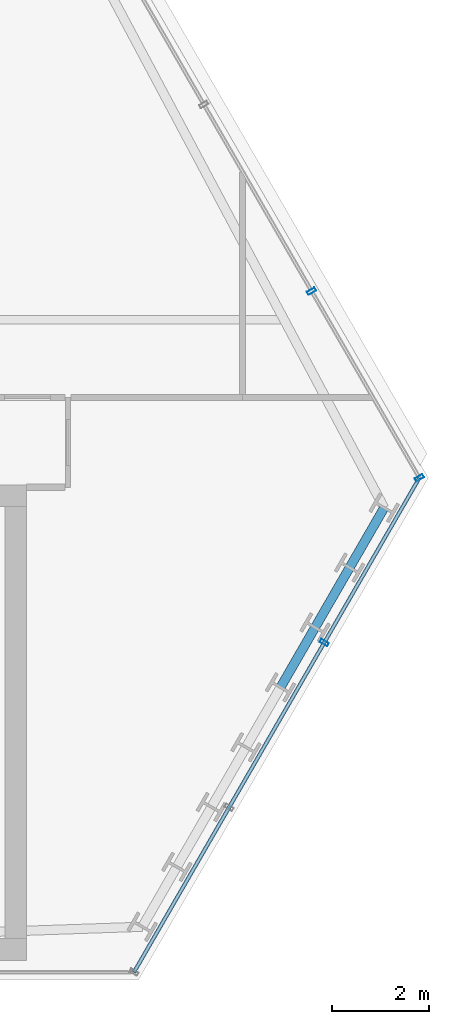
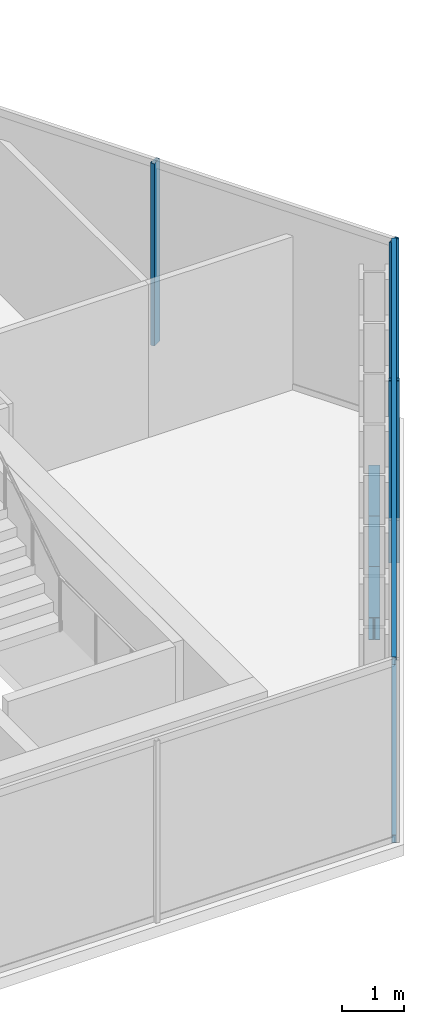
# One storey, part 16 of 31: 5 members, 3 beams, 2 elements without a shape of their own.
"""IFC4 building model written with IfcOpenShell, lengths in metres."""

from ifc_helpers import new_model, si_unit, direction, frame, origin, origin_2d, place, context, subcontext, project, spatial, hollow_rectangle, i_section, extrude, material, layer, layer_set, material_profile, profile_set, type_object, element, aggregate, save


model = new_model("IFC4")

# Units and contexts
model_context = context("Model", 3, precision=1e-05, world=origin(), true_north=direction((0.0, 1.0)))
body_context = subcontext(model_context, "Body", "Model", "MODEL_VIEW")
ifc_project = project(units=[si_unit("LENGTHUNIT", "METRE"), si_unit("AREAUNIT", "SQUARE_METRE"), si_unit("VOLUMEUNIT", "CUBIC_METRE"), si_unit("PLANEANGLEUNIT", "RADIAN"), si_unit("MASSUNIT", "GRAM", prefix="KILO")], contexts=[model_context])

# Site, building, storey
site_placement = place(None, origin())
site = spatial("IfcSite", under=ifc_project, at=site_placement, CompositionType="ELEMENT")
building_placement = place(site_placement, origin())
building = spatial("IfcBuilding", under=site, at=building_placement, Name="Ndaravel Arena Tower", CompositionType="ELEMENT")
storey_placement = place(building_placement, frame((0.0, 0.0, 138.39990234375)))
storey = spatial("IfcBuildingStorey", under=building, at=storey_placement, Name="L32", CompositionType="ELEMENT", Elevation=138.39990234375)

# Beams
ifc_material_1 = material(Name="Steel S355", Category="steel")
ifc_material_profile_1 = material_profile(ifc_material_1, i_section(OverallWidth=0.18994140625, OverallDepth=0.449951171875, WebThickness=0.009521484375, FlangeThickness=0.0146484375, FilletRadius=0.02099609375, at=origin_2d()), Name="IPE 450")
ifc_profile_set_1 = profile_set([ifc_material_profile_1], Name="Steel S355")
beam_type = type_object("IfcBeamType", Name="BM-SPAN-IPE450", PredefinedType="SPANDREL", material=ifc_profile_set_1)
for number, where, z_axis, x_axis, name in (
    (1, (62.77880859375, 11.028076171875, -0.44482421875), (0.499920397431, 0.866071357471, 0.0), (-0.866071357471, 0.499920397431, 0.0), "L32 Perimeter Spandrel Beam SP-06"),
    (2, (63.490478515625, 12.260986328125, -0.44482421875), (0.500049018998, 0.865997100803, 0.0), (-0.865997100803, 0.500049018998, 0.0), "L32 Perimeter Spandrel Beam SP-07"),
    (3, (64.202392578125, 13.493896484375, -0.44482421875), (0.499920397431, 0.866071357471, 0.0), (-0.866071357471, 0.499920397431, 0.0), "L32 Perimeter Spandrel Beam SP-08"),
):
    element("IfcBeam", number, at=place(storey_placement, frame(where, z_axis=z_axis, x_axis=x_axis)), inside=storey, type_object=beam_type, Name=name, PredefinedType="SPANDREL", context=body_context, shape_type="SweptSolid", body=[
        extrude(i_section(OverallWidth=0.18994140625, OverallDepth=0.449951171875, WebThickness=0.009521484375, FlangeThickness=0.0146484375, FilletRadius=0.02099609375, at=origin_2d()), origin(), (0.0, 0.0, 1.0), 1.423583984375),
    ])

# Curtain wall, member
ifc_material_2 = material(Name="Aluminium", Category="aluminium")
ifc_layer_1 = layer(ifc_material_2, 0.179931640625)
ifc_layer_set_1 = layer_set([ifc_layer_1], Name="Aluminium")
curtain_wall_type_1 = type_object("IfcCurtainWallType", Name="CW-SYS-01", PredefinedType="NOTDEFINED", material=ifc_layer_set_1)
curtain_wall_1_placement = place(storey_placement, origin())
curtain_wall_1 = element("IfcCurtainWall", 4, at=curtain_wall_1_placement, inside=storey, type_object=curtain_wall_type_1, Name="L32 Faceted Crystal Curtain Wall CW-L32-E02", PredefinedType="NOTDEFINED")
ifc_material_3 = material(Name="Aluminium", Category="aluminium")
ifc_material_profile_2 = material_profile(ifc_material_3, hollow_rectangle(XDim=0.074951171875, YDim=0.179931640625, WallThickness=0.00390625, at=origin_2d()), Name="CW MULLION 75x180x4")
ifc_profile_set_2 = profile_set([ifc_material_profile_2], Name="Aluminium")
member_type_1 = type_object("IfcMemberType", Name="MEM-CW-MUL180", PredefinedType="MULLION", material=ifc_profile_set_2)
member_1_placement = place(storey_placement, frame((63.6796875, 11.94873046875, 0.0), z_axis=(0.0, 0.0, 1.0), x_axis=(0.5, 0.866025403784, 0.0)))
member_1 = element("IfcMember", 5, at=member_1_placement, type_object=member_type_1, Name="CW-L32-E02 Mullion 02", PredefinedType="MULLION", context=body_context, shape_type="SweptSolid", body=[
    extrude(hollow_rectangle(XDim=0.074951171875, YDim=0.179931640625, WallThickness=0.00390625, at=origin_2d()), origin(), (0.0, 0.0, 1.0), 3.580078125),
])

# Curtain wall, members
ifc_material_4 = material(Name="Aluminium", Category="aluminium")
ifc_layer_2 = layer(ifc_material_4, 0.179931640625)
ifc_layer_set_2 = layer_set([ifc_layer_2], Name="Aluminium")
curtain_wall_type_2 = type_object("IfcCurtainWallType", Name="CW-SYS-03", PredefinedType="NOTDEFINED", material=ifc_layer_set_2)
curtain_wall_2_placement = place(storey_placement, origin())
curtain_wall_2 = element("IfcCurtainWall", 6, at=curtain_wall_2_placement, inside=storey, type_object=curtain_wall_type_2, Name="L32 Faceted Crystal Curtain Wall CW-L32-E03", PredefinedType="NOTDEFINED")
member_2_placement = place(storey_placement, frame((65.639404296875, 15.34326171875, 0.0), z_axis=(0.0, 0.0, 1.0), x_axis=(-0.5, 0.866025403784, 0.0)))
member_2 = element("IfcMember", 7, at=member_2_placement, type_object=member_type_1, Name="CW-L32-E03 Mullion 00", PredefinedType="MULLION", context=body_context, shape_type="SweptSolid", body=[
    extrude(hollow_rectangle(XDim=0.074951171875, YDim=0.179931640625, WallThickness=0.00390625, at=origin_2d()), origin(), (0.0, 0.0, 1.0), 3.580078125),
])
member_3_placement = place(storey_placement, frame((63.41943359375, 19.1884765625, 0.0), z_axis=(0.0, 0.0, 1.0), x_axis=(-0.5, 0.866025403784, 0.0)))
member_3 = element("IfcMember", 8, at=member_3_placement, type_object=member_type_1, Name="CW-L32-E03 Mullion 01", PredefinedType="MULLION", context=body_context, shape_type="SweptSolid", body=[
    extrude(hollow_rectangle(XDim=0.074951171875, YDim=0.179931640625, WallThickness=0.00390625, at=origin_2d()), origin(), (0.0, 0.0, 1.0), 3.580078125),
])
aggregate(curtain_wall_2, [member_2, member_3])

# Member
ifc_material_5 = material(Name="Aluminium", Category="aluminium")
ifc_material_profile_3 = material_profile(ifc_material_5, hollow_rectangle(XDim=0.074951171875, YDim=0.14990234375, WallThickness=0.00390625, at=origin_2d()), Name="CW TRANSOM 75x150x4")
ifc_profile_set_3 = profile_set([ifc_material_profile_3], Name="Aluminium")
member_type_2 = type_object("IfcMemberType", Name="MEM-CW-TRN150", PredefinedType="USERDEFINED", material=ifc_profile_set_3)
member_4_placement = place(storey_placement, frame((59.76025390625, 5.159912109375, 0.0400390625), z_axis=(0.499986653496, 0.866033109255, 0.0), x_axis=(-0.866033109255, 0.499986653496, 0.0)))
member_4 = element("IfcMember", 9, at=member_4_placement, type_object=member_type_2, Name="CW-L32-E02 Transom 01", ObjectType="TRANSOM", PredefinedType="USERDEFINED", context=body_context, shape_type="SweptSolid", body=[
    extrude(hollow_rectangle(XDim=0.074951171875, YDim=0.14990234375, WallThickness=0.00390625, at=origin_2d()), origin(), (0.0, 0.0, 1.0), 11.758544921875),
])

member_5_placement = place(storey_placement, frame((59.76025390625, 5.159912109375, 3.5400390625), z_axis=(0.499986653496, 0.866033109255, 0.0), x_axis=(-0.866033109255, 0.499986653496, 0.0)))
member_5 = element("IfcMember", 10, at=member_5_placement, type_object=member_type_2, Name="CW-L32-E02 Transom 02", ObjectType="TRANSOM", PredefinedType="USERDEFINED", context=body_context, shape_type="SweptSolid", body=[
    extrude(hollow_rectangle(XDim=0.074951171875, YDim=0.14990234375, WallThickness=0.00390625, at=origin_2d()), origin(), (0.0, 0.0, 1.0), 11.758544921875),
])

aggregate(curtain_wall_1, [member_1, member_4, member_5])

save(model, "model.ifc")
